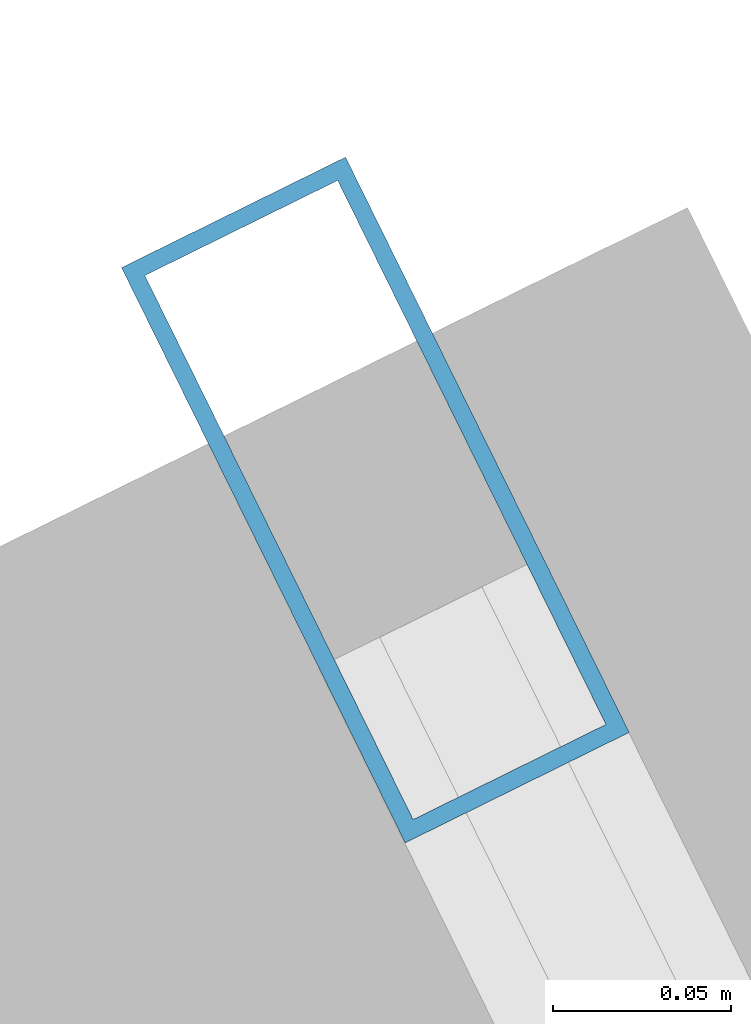
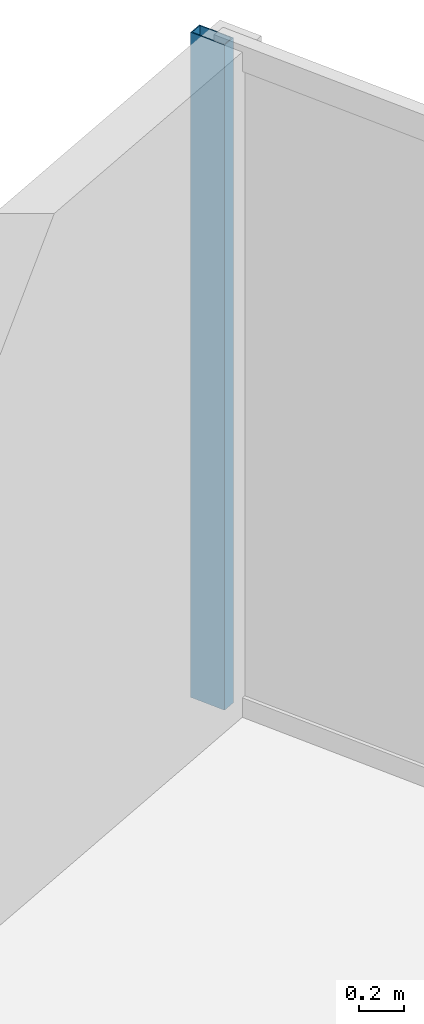
# One storey, part 17 of 22: 1 member, 1 element without a shape of its own.
"""IFC4 building model written with IfcOpenShell, lengths in metres."""

from ifc_helpers import new_model, si_unit, direction, frame, origin, origin_2d, place, context, subcontext, project, spatial, hollow_rectangle, extrude, source, transform, mapped, material, material_profile, profile_set, type_object, type_shapes, element, aggregate, save


model = new_model("IFC4")

# Units and contexts
model_context = context("Model", 3, precision=1e-05, world=origin(), true_north=direction((0.0, 1.0)))
body_context = subcontext(model_context, "Body", "Model", "MODEL_VIEW")
ifc_project = project(units=[si_unit("LENGTHUNIT", "METRE"), si_unit("AREAUNIT", "SQUARE_METRE"), si_unit("VOLUMEUNIT", "CUBIC_METRE"), si_unit("PLANEANGLEUNIT", "RADIAN"), si_unit("MASSUNIT", "GRAM", prefix="KILO")], contexts=[model_context])

# Site, building, storey
site_placement = place(None, origin())
site = spatial("IfcSite", under=ifc_project, at=site_placement, CompositionType="ELEMENT")
building_placement = place(site_placement, origin())
building = spatial("IfcBuilding", under=site, at=building_placement, Name="Krantzveldt Concourse Tower", CompositionType="ELEMENT")
storey_placement = place(building_placement, frame((0.0, 0.0, 314.800048828125)))
storey = spatial("IfcBuildingStorey", under=building, at=storey_placement, Name="L77", CompositionType="ELEMENT", Elevation=314.800048828125)

# Curtain wall, member
ifc_material = material(Name="Anodised aluminium 6063-T6", Category="aluminium")
curtain_wall_type = type_object("IfcCurtainWallType", Name="CW4", PredefinedType="USERDEFINED", material=ifc_material)
curtain_wall_placement = place(storey_placement, origin())
curtain_wall = element("IfcCurtainWall", 1, at=curtain_wall_placement, inside=storey, type_object=curtain_wall_type, Name="CW-L77-F10", ObjectType="UNITISED CURTAIN WALL", PredefinedType="USERDEFINED")
ifc_material_profile = material_profile(ifc_material, hollow_rectangle(XDim=0.070068359375, YDim=0.179931640625, WallThickness=0.0048828125, at=origin_2d()), Name="Anodised aluminium 6063-T6", Category="aluminium")
ifc_profile_set = profile_set([ifc_material_profile], Name="Anodised aluminium 6063-T6 - ALU-MULL 180x70x5")
member_type = type_object("IfcMemberType", Name="CW-MUL-180", PredefinedType="MULLION", material=ifc_profile_set)
shared_shape = source(origin(), body_context, "Body", "SweptSolid", [
    extrude(hollow_rectangle(XDim=0.070068359375, YDim=0.179931640625, WallThickness=0.0048828125, at=origin_2d()), origin(), (0.0, 0.0, 1.0), 3.58984375),
])
type_shapes(member_type, [shared_shape])
member_placement = place(storey_placement, frame((47.188720703125, 48.123046875, 0.0), z_axis=(0.0, 0.0, 1.0), x_axis=(-0.896872829457, -0.442288511927, 0.0)))
member = element("IfcMember", 2, at=member_placement, type_object=member_type, Name="CW-Z56 mullion 5", PredefinedType="MULLION", context=body_context, shape_type="MappedRepresentation", body=[
    mapped(shared_shape, transform((0.0, 0.0, 0.0), x_axis=(1.0, 0.0, 0.0), y_axis=(0.0, 1.0, 0.0), z_axis=(0.0, 0.0, 1.0), scale=1.0)),
])
aggregate(curtain_wall, [member])

save(model, "model.ifc")
